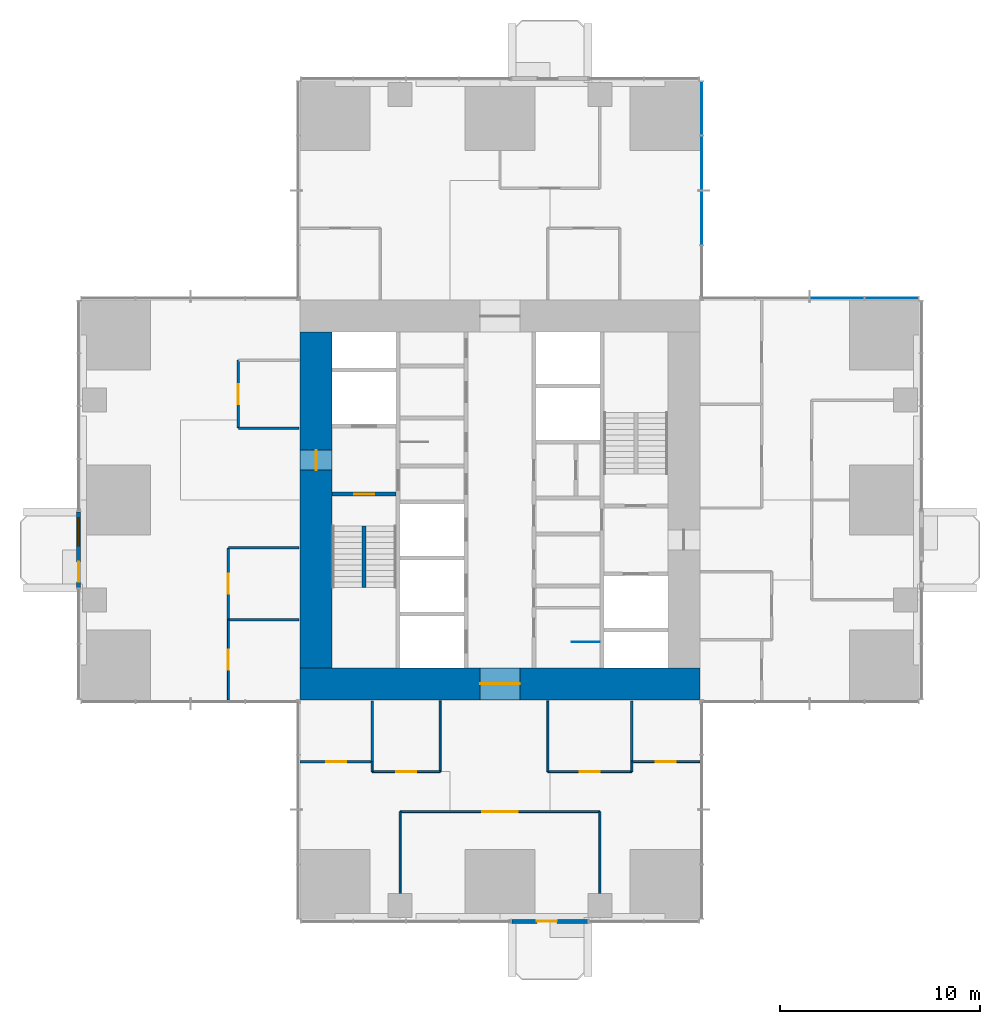
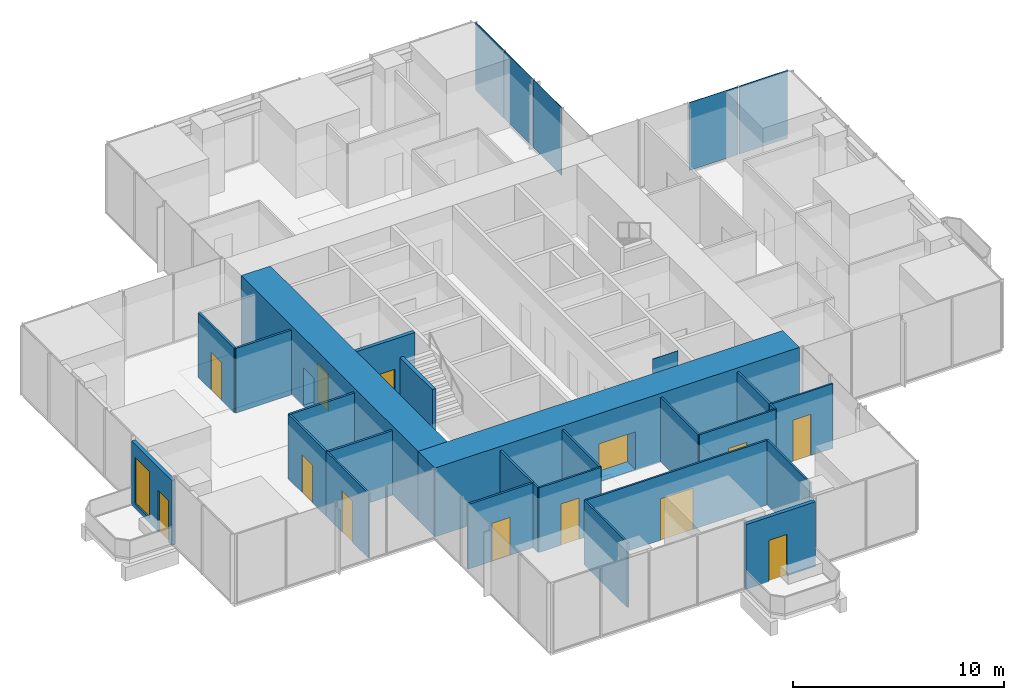
# One storey, part 8 of 13: 26 walls, 13 doors, 5 plates, 1 window, 14 openings, 2 elements without a shape of their own.
"""IFC4 building model written with IfcOpenShell, lengths in metres."""

from ifc_helpers import new_model, si_unit, direction, frame, frame_2d, origin, origin_2d, place, context, subcontext, project, spatial, rectangle, extrude, material, layer, layer_set, type_object, element, fill, aggregate, save


model = new_model("IFC4")

# Units and contexts
model_context = context("Model", 3, precision=1e-05, world=origin(), true_north=direction((0.0, 1.0)))
body_context = subcontext(model_context, "Body", "Model", "MODEL_VIEW")
ifc_project = project(units=[si_unit("LENGTHUNIT", "METRE"), si_unit("AREAUNIT", "SQUARE_METRE"), si_unit("VOLUMEUNIT", "CUBIC_METRE"), si_unit("PLANEANGLEUNIT", "RADIAN"), si_unit("MASSUNIT", "GRAM", prefix="KILO")], contexts=[model_context])

# Site, building, storey
site_placement = place(None, origin())
site = spatial("IfcSite", under=ifc_project, at=site_placement, CompositionType="ELEMENT")
building_placement = place(site_placement, origin())
building = spatial("IfcBuilding", under=site, at=building_placement, Name="Svetlomir Tower", CompositionType="ELEMENT")
storey_placement = place(building_placement, frame((0.0, 0.0, 96.5)))
storey = spatial("IfcBuildingStorey", under=building, at=storey_placement, Name="L22", CompositionType="ELEMENT", Elevation=96.5)

# Curtain wall, plates
ifc_material_1 = material(Name="Bronze anodised aluminium curtain wall", Category="aluminium")
curtain_wall_type = type_object("IfcCurtainWallType", Name="CURTAIN WALL CW1 TOWER OFFICE", PredefinedType="NOTDEFINED", material=ifc_material_1)
curtain_wall_1_placement = place(storey_placement, origin())
curtain_wall_1 = element("IfcCurtainWall", 1, at=curtain_wall_1_placement, inside=storey, type_object=curtain_wall_type, Name="Curtain wall CW1 L22", PredefinedType="NOTDEFINED")
ifc_material_2 = material(Name="Tinted double glazed unit", Category="glass")
ifc_layer_1 = layer(ifc_material_2, 0.031982421875)
ifc_layer_set_1 = layer_set([ifc_layer_1], Name="Tinted double glazed unit")
plate_type = type_object("IfcPlateType", Name="CW1 GLAZED PANEL 32", PredefinedType="CURTAIN_PANEL", material=ifc_layer_set_1)
plate_1_placement = place(storey_placement, frame((40.608642578125, 31.10009765625, 0.06494140625), z_axis=(0.0, 0.0, 1.0), x_axis=(-1.0, 0.0, 0.0)))
plate_1 = element("IfcPlate", 2, at=plate_1_placement, type_object=plate_type, Name="CW1 panel 1.1", PredefinedType="CURTAIN_PANEL", context=body_context, shape_type="SweptSolid", body=[
    extrude(rectangle(XDim=2.652587890625, YDim=0.031982421875, at=origin_2d()), origin(), (0.0, 0.0, 1.0), 3.93505859375),
])
plate_2_placement = place(storey_placement, frame((37.875, 31.10009765625, 0.06494140625), z_axis=(0.0, 0.0, 1.0), x_axis=(-1.0, 0.0, 0.0)))
plate_2 = element("IfcPlate", 3, at=plate_2_placement, type_object=plate_type, Name="CW1 panel 2.1", PredefinedType="CURTAIN_PANEL", context=body_context, shape_type="SweptSolid", body=[
    extrude(rectangle(XDim=2.68505859375, YDim=0.031982421875, at=origin_2d()), origin(), (0.0, 0.0, 1.0), 3.93505859375),
])
aggregate(curtain_wall_1, [plate_1, plate_2])

curtain_wall_2_placement = place(storey_placement, origin())
curtain_wall_2 = element("IfcCurtainWall", 4, at=curtain_wall_2_placement, inside=storey, type_object=curtain_wall_type, Name="Curtain wall CW1 L22", PredefinedType="NOTDEFINED")
plate_3_placement = place(storey_placement, frame((31.10009765625, 35.125, 0.06494140625), z_axis=(0.0, 0.0, 1.0), x_axis=(0.0, 1.0, 0.0)))
plate_3 = element("IfcPlate", 5, at=plate_3_placement, type_object=plate_type, Name="CW1 panel 2.1", PredefinedType="CURTAIN_PANEL", context=body_context, shape_type="SweptSolid", body=[
    extrude(rectangle(XDim=2.68505859375, YDim=0.031982421875, at=origin_2d()), origin(), (0.0, 0.0, 1.0), 3.93505859375),
])
plate_4_placement = place(storey_placement, frame((31.10009765625, 37.875, 0.06494140625), z_axis=(0.0, 0.0, 1.0), x_axis=(0.0, 1.0, 0.0)))
plate_4 = element("IfcPlate", 6, at=plate_4_placement, type_object=plate_type, Name="CW1 panel 3.1", PredefinedType="CURTAIN_PANEL", context=body_context, shape_type="SweptSolid", body=[
    extrude(rectangle(XDim=2.68505859375, YDim=0.031982421875, at=origin_2d()), origin(), (0.0, 0.0, 1.0), 3.93505859375),
])
plate_5_placement = place(storey_placement, frame((31.10009765625, 40.608642578125, 0.06494140625), z_axis=(0.0, 0.0, 1.0), x_axis=(0.0, 1.0, 0.0)))
plate_5 = element("IfcPlate", 7, at=plate_5_placement, type_object=plate_type, Name="CW1 panel 4.1", PredefinedType="CURTAIN_PANEL", context=body_context, shape_type="SweptSolid", body=[
    extrude(rectangle(XDim=2.652587890625, YDim=0.031982421875, at=origin_2d()), origin(), (0.0, 0.0, 1.0), 3.93505859375),
])
aggregate(curtain_wall_2, [plate_3, plate_4, plate_5])

# Wall, opening, door
ifc_material_3 = material(Name="Bronze anodised aluminium glazed screen", Category="aluminium")
ifc_layer_2 = layer(ifc_material_3, 0.199951171875)
ifc_layer_set_2 = layer_set([ifc_layer_2], Name="Bronze anodised aluminium glazed screen")
wall_type_1 = type_object("IfcWallType", Name="BALCONY SCREEN WALL 200", PredefinedType="USERDEFINED", material=ifc_layer_set_2)
wall_1_placement = place(storey_placement, frame((21.60009765625, -0.10009765625, 0.0), z_axis=(0.0, 0.0, 1.0), x_axis=(1.0, 0.0, 0.0)))
wall_1 = element("IfcWall", 8, at=wall_1_placement, inside=storey, type_object=wall_type_1, Name="Balcony screen S", ObjectType="GLAZED SCREEN", PredefinedType="USERDEFINED", context=body_context, shape_type="SweptSolid", body=[
    extrude(rectangle(XDim=3.7998046875, YDim=0.199951171875, at=frame_2d((1.89990234375, 0.0))), origin(), (0.0, 0.0, 1.0), 3.75),
])
opening_1_placement = place(wall_1_placement, frame((1.25, 0.0, 0.0)))
opening_1 = element("IfcOpeningElement", 9, at=opening_1_placement, cuts=wall_1, Name="Opening BD", PredefinedType="OPENING", context=body_context, shape_type="SweptSolid", body=[
    extrude(rectangle(XDim=1.0, YDim=2.39990234375, at=frame_2d((0.5, 1.199951171875))), frame((0.0, 0.10986328125, 0.0), z_axis=(0.0, -1.0, 0.0), x_axis=(1.0, 0.0, 0.0)), (0.0, 0.0, 1.0), 0.219970703125),
])
ifc_material_4 = material(Name="Bronze anodised aluminium glazed door", Category="aluminium")
door_type_1 = type_object("IfcDoorType", Name="BALCONY DOOR BD 1000x2400", OperationType="SINGLE_SWING_LEFT", PredefinedType="DOOR", material=ifc_material_4)
door_1_placement = place(opening_1_placement, origin())
door_1 = element("IfcDoor", 10, at=door_1_placement, inside=storey, type_object=door_type_1, Name="Balcony screen S door", OperationType="SINGLE_SWING_LEFT", OverallHeight=2.39990234375, OverallWidth=1.0, PredefinedType="DOOR", context=body_context, shape_type="SweptSolid", body=[
    extrude(rectangle(XDim=1.0, YDim=2.39990234375, at=frame_2d((0.5, 1.199951171875))), frame((0.0, 0.02490234375, 0.0), z_axis=(0.0, -1.0, 0.0), x_axis=(1.0, 0.0, 0.0)), (0.0, 0.0, 1.0), 0.050048828125),
])
fill(opening_1, door_1)

# Wall, openings, door, window
wall_2_placement = place(storey_placement, frame((-0.10009765625, 20.39990234375, 0.0), z_axis=(0.0, 0.0, 1.0), x_axis=(0.0, -1.0, 0.0)))
wall_2 = element("IfcWall", 11, at=wall_2_placement, inside=storey, type_object=wall_type_1, Name="Balcony screen W", ObjectType="GLAZED SCREEN", PredefinedType="USERDEFINED", context=body_context, shape_type="SweptSolid", body=[
    extrude(rectangle(XDim=3.7998046875, YDim=0.199951171875, at=frame_2d((1.89990234375, 0.0))), origin(), (0.0, 0.0, 1.0), 3.75),
])
opening_2_placement = place(wall_2_placement, frame((2.5, 0.0, 0.0)))
opening_2 = element("IfcOpeningElement", 12, at=opening_2_placement, cuts=wall_2, Name="Opening BD", PredefinedType="OPENING", context=body_context, shape_type="SweptSolid", body=[
    extrude(rectangle(XDim=1.0, YDim=2.39990234375, at=frame_2d((0.5, 1.199951171875))), frame((0.0, 0.10986328125, 0.0), z_axis=(0.0, -1.0, 0.0), x_axis=(1.0, 0.0, 0.0)), (0.0, 0.0, 1.0), 0.219970703125),
])
opening_3_placement = place(wall_2_placement, frame((0.300048828125, 0.0, 0.300048828125)))
opening_3 = element("IfcOpeningElement", 13, at=opening_3_placement, cuts=wall_2, Name="Opening WS2", PredefinedType="OPENING", context=body_context, shape_type="SweptSolid", body=[
    extrude(rectangle(XDim=1.39990234375, YDim=2.699951171875, at=frame_2d((0.699951171875, 1.35009765625))), frame((0.0, 0.10986328125, 0.0), z_axis=(0.0, -1.0, 0.0), x_axis=(1.0, 0.0, 0.0)), (0.0, 0.0, 1.0), 0.219970703125),
])
door_2_placement = place(opening_2_placement, origin())
door_2 = element("IfcDoor", 14, at=door_2_placement, inside=storey, type_object=door_type_1, Name="Balcony screen W door", OperationType="SINGLE_SWING_LEFT", OverallHeight=2.39990234375, OverallWidth=1.0, PredefinedType="DOOR", context=body_context, shape_type="SweptSolid", body=[
    extrude(rectangle(XDim=1.0, YDim=2.39990234375, at=frame_2d((0.5, 1.199951171875))), frame((0.0, 0.02490234375, 0.0), z_axis=(0.0, -1.0, 0.0), x_axis=(1.0, 0.0, 0.0)), (0.0, 0.0, 1.0), 0.050048828125),
])
fill(opening_2, door_2)
ifc_material_5 = material(Name="Bronze anodised aluminium window", Category="aluminium")
window_type = type_object("IfcWindowType", Name="SCREEN WINDOW WS2 1400x2700", PartitioningType="SINGLE_PANEL", PredefinedType="WINDOW", material=ifc_material_5)
window_placement = place(opening_3_placement, origin())
window = element("IfcWindow", 15, at=window_placement, inside=storey, type_object=window_type, Name="Balcony screen W window 1", OverallHeight=2.699951171875, OverallWidth=1.39990234375, PartitioningType="SINGLE_PANEL", PredefinedType="WINDOW", context=body_context, shape_type="SweptSolid", body=[
    extrude(rectangle(XDim=1.39990234375, YDim=2.699951171875, at=frame_2d((0.699951171875, 1.35009765625))), frame((0.0, 0.030029296875, 0.0), z_axis=(0.0, -1.0, 0.0), x_axis=(1.0, 0.0, 0.0)), (0.0, 0.0, 1.0), 0.06005859375),
])
fill(opening_3, window)

# Wall, opening, door
ifc_material_6 = material(Name="Concrete C60/75", Category="concrete")
ifc_layer_3 = layer(ifc_material_6, 0.199951171875)
ifc_layer_set_3 = layer_set([ifc_layer_3], Name="Concrete C60/75")
wall_type_2 = type_object("IfcWallType", Name="CORE INNER WALL 200", PredefinedType="SHEAR", material=ifc_layer_set_3)
wall_3_placement = place(storey_placement, frame((12.60009765625, 21.300048828125, -0.050048828125), z_axis=(0.0, 0.0, 1.0), x_axis=(1.0, 0.0, 0.0)))
wall_3 = element("IfcWall", 16, at=wall_3_placement, inside=storey, type_object=wall_type_2, Name="Core inner wall 12.6-15.8/21.3 L22", PredefinedType="SHEAR", context=body_context, shape_type="SweptSolid", body=[
    extrude(rectangle(XDim=3.199951171875, YDim=0.199951171875, at=frame_2d((1.60009765625, 0.0))), origin(), (0.0, 0.0, 1.0), 4.0),
])
opening_4_placement = place(wall_3_placement, frame((1.10009765625, 0.0, 0.050048828125)))
opening_4 = element("IfcOpeningElement", 17, at=opening_4_placement, cuts=wall_3, Name="Opening DF", PredefinedType="OPENING", context=body_context, shape_type="SweptSolid", body=[
    extrude(rectangle(XDim=1.0, YDim=2.199951171875, at=frame_2d((0.5, 1.10009765625))), frame((0.0, 0.10986328125, 0.0), z_axis=(0.0, -1.0, 0.0), x_axis=(1.0, 0.0, 0.0)), (0.0, 0.0, 1.0), 0.219970703125),
])
ifc_material_7 = material(Name="Steel fire door", Category="steel")
door_type_2 = type_object("IfcDoorType", Name="DOOR DF 1000x2200", OperationType="SINGLE_SWING_LEFT", PredefinedType="DOOR", material=ifc_material_7)
door_3_placement = place(opening_4_placement, origin())
door_3 = element("IfcDoor", 18, at=door_3_placement, inside=storey, type_object=door_type_2, Name="Stair S1 door L22", OperationType="SINGLE_SWING_RIGHT", OverallHeight=2.199951171875, OverallWidth=1.0, PredefinedType="DOOR", context=body_context, shape_type="SweptSolid", body=[
    extrude(rectangle(XDim=1.0, YDim=2.199951171875, at=frame_2d((0.5, 1.10009765625))), frame((0.0, 0.02490234375, 0.0), z_axis=(0.0, -1.0, 0.0), x_axis=(1.0, 0.0, 0.0)), (0.0, 0.0, 1.0), 0.050048828125),
])
fill(opening_4, door_3)

ifc_material_8 = material(Name="Concrete C60/75", Category="concrete")
ifc_layer_4 = layer(ifc_material_8, 1.60009765625)
ifc_layer_set_4 = layer_set([ifc_layer_4], Name="Concrete C60/75")
wall_type_3 = type_object("IfcWallType", Name="CORE WALL 1600", PredefinedType="SHEAR", material=ifc_layer_set_4)
wall_4_placement = place(storey_placement, frame((11.0, 11.800048828125, -0.050048828125), z_axis=(0.0, 0.0, 1.0), x_axis=(1.0, 0.0, 0.0)))
wall_4 = element("IfcWall", 19, at=wall_4_placement, inside=storey, type_object=wall_type_3, Name="Core wall south L22", PredefinedType="SHEAR", context=body_context, shape_type="SweptSolid", body=[
    extrude(rectangle(XDim=20.0, YDim=1.60009765625, at=frame_2d((10.0, 0.0))), origin(), (0.0, 0.0, 1.0), 4.0),
])
opening_5_placement = place(wall_4_placement, frame((9.0, 0.0, 0.050048828125)))
opening_5 = element("IfcOpeningElement", 20, at=opening_5_placement, cuts=wall_4, Name="Opening DL", PredefinedType="OPENING", context=body_context, shape_type="SweptSolid", body=[
    extrude(rectangle(XDim=2.0, YDim=2.199951171875, at=frame_2d((1.0, 1.10009765625))), frame((0.0, 0.81005859375, 0.0), z_axis=(0.0, -1.0, 0.0), x_axis=(1.0, 0.0, 0.0)), (0.0, 0.0, 1.0), 1.6201171875),
])
ifc_material_9 = material(Name="Steel fire door", Category="steel")
door_type_3 = type_object("IfcDoorType", Name="DOOR DL 2000x2200", OperationType="DOUBLE_DOOR_SINGLE_SWING", PredefinedType="DOOR", material=ifc_material_9)
door_4_placement = place(opening_5_placement, origin())
door_4 = element("IfcDoor", 21, at=door_4_placement, inside=storey, type_object=door_type_3, Name="Lift lobby south door L22", OperationType="DOUBLE_DOOR_SINGLE_SWING", OverallHeight=2.199951171875, OverallWidth=2.0, PredefinedType="DOOR", context=body_context, shape_type="SweptSolid", body=[
    extrude(rectangle(XDim=2.0, YDim=2.199951171875, at=frame_2d((1.0, 1.10009765625))), frame((0.0, 0.02490234375, 0.0), z_axis=(0.0, -1.0, 0.0), x_axis=(1.0, 0.0, 0.0)), (0.0, 0.0, 1.0), 0.050048828125),
])
fill(opening_5, door_4)

wall_5_placement = place(storey_placement, frame((11.800048828125, 12.60009765625, -0.050048828125), z_axis=(0.0, 0.0, 1.0), x_axis=(0.0, 1.0, 0.0)))
wall_5 = element("IfcWall", 22, at=wall_5_placement, inside=storey, type_object=wall_type_3, Name="Core wall west L22", PredefinedType="SHEAR", context=body_context, shape_type="SweptSolid", body=[
    extrude(rectangle(XDim=16.7998046875, YDim=1.60009765625, at=frame_2d((8.39990234375, 0.0))), origin(), (0.0, 0.0, 1.0), 4.0),
])
opening_6_placement = place(wall_5_placement, frame((9.89990234375, 0.0, 0.050048828125)))
opening_6 = element("IfcOpeningElement", 23, at=opening_6_placement, cuts=wall_5, Name="Opening DF", PredefinedType="OPENING", context=body_context, shape_type="SweptSolid", body=[
    extrude(rectangle(XDim=1.0, YDim=2.199951171875, at=frame_2d((0.5, 1.10009765625))), frame((0.0, 0.81005859375, 0.0), z_axis=(0.0, -1.0, 0.0), x_axis=(1.0, 0.0, 0.0)), (0.0, 0.0, 1.0), 1.6201171875),
])
door_5_placement = place(opening_6_placement, origin())
door_5 = element("IfcDoor", 24, at=door_5_placement, inside=storey, type_object=door_type_2, Name="Firefighting lobby west door L22", OperationType="SINGLE_SWING_RIGHT", OverallHeight=2.199951171875, OverallWidth=1.0, PredefinedType="DOOR", context=body_context, shape_type="SweptSolid", body=[
    extrude(rectangle(XDim=1.0, YDim=2.199951171875, at=frame_2d((0.5, 1.10009765625))), frame((0.0, 0.02490234375, 0.0), z_axis=(0.0, -1.0, 0.0), x_axis=(1.0, 0.0, 0.0)), (0.0, 0.0, 1.0), 0.050048828125),
])
fill(opening_6, door_5)

ifc_material_10 = material(Name="Framed laminated glass partition", Category="glass")
ifc_layer_5 = layer(ifc_material_10, 0.10009765625)
ifc_layer_set_5 = layer_set([ifc_layer_5], Name="Framed laminated glass partition")
wall_type_4 = type_object("IfcWallType", Name="GLAZED PARTITION 100", PredefinedType="PARTITIONING", material=ifc_layer_set_5)
wall_6_placement = place(storey_placement, frame((7.39990234375, 11.0, 0.0), z_axis=(0.0, 0.0, 1.0), x_axis=(0.0, 1.0, 0.0)))
wall_6 = element("IfcWall", 25, at=wall_6_placement, inside=storey, type_object=wall_type_4, Name="Glazed partition L22", PredefinedType="PARTITIONING", context=body_context, shape_type="SweptSolid", body=[
    extrude(rectangle(XDim=4.0, YDim=0.10009765625, at=frame_2d((2.0, 0.0))), origin(), (0.0, 0.0, 1.0), 3.75),
])
opening_7_placement = place(wall_6_placement, frame((1.5, 0.0, 0.0)))
opening_7 = element("IfcOpeningElement", 26, at=opening_7_placement, cuts=wall_6, Name="Opening DG", PredefinedType="OPENING", context=body_context, shape_type="SweptSolid", body=[
    extrude(rectangle(XDim=1.0, YDim=2.39990234375, at=frame_2d((0.5, 1.199951171875))), frame((0.0, 0.06005859375, 0.0), z_axis=(0.0, -1.0, 0.0), x_axis=(1.0, 0.0, 0.0)), (0.0, 0.0, 1.0), 0.1201171875),
])
ifc_material_11 = material(Name="Framed laminated glass door", Category="glass")
door_type_4 = type_object("IfcDoorType", Name="GLAZED DOOR DG 1000x2400", OperationType="SINGLE_SWING_LEFT", PredefinedType="DOOR", material=ifc_material_11)
door_6_placement = place(opening_7_placement, origin())
door_6 = element("IfcDoor", 27, at=door_6_placement, inside=storey, type_object=door_type_4, Name="Client data room door L22", OperationType="SINGLE_SWING_RIGHT", OverallHeight=2.39990234375, OverallWidth=1.0, PredefinedType="DOOR", context=body_context, shape_type="SweptSolid", body=[
    extrude(rectangle(XDim=1.0, YDim=2.39990234375, at=frame_2d((0.5, 1.199951171875))), frame((0.0, 0.02490234375, 0.0), z_axis=(0.0, -1.0, 0.0), x_axis=(1.0, 0.0, 0.0)), (0.0, 0.0, 1.0), 0.050048828125),
])
fill(opening_7, door_6)

# Wall
wall_7_placement = place(storey_placement, frame((14.60009765625, 7.39990234375, 0.0), z_axis=(0.0, 0.0, 1.0), x_axis=(0.0, 1.0, 0.0)))
element("IfcWall", 28, at=wall_7_placement, inside=storey, type_object=wall_type_4, Name="Glazed partition L22", PredefinedType="PARTITIONING", context=body_context, shape_type="SweptSolid", body=[
    extrude(rectangle(XDim=0.5, YDim=0.10009765625, at=frame_2d((0.25, 0.0))), origin(), (0.0, 0.0, 1.0), 3.75),
])

# Wall, opening, door
wall_8_placement = place(storey_placement, frame((14.60009765625, 7.39990234375, 0.0), z_axis=(0.0, 0.0, 1.0), x_axis=(1.0, 0.0, 0.0)))
wall_8 = element("IfcWall", 29, at=wall_8_placement, inside=storey, type_object=wall_type_4, Name="Glazed partition L22", PredefinedType="PARTITIONING", context=body_context, shape_type="SweptSolid", body=[
    extrude(rectangle(XDim=3.39990234375, YDim=0.10009765625, at=frame_2d((1.699951171875, 0.0))), origin(), (0.0, 0.0, 1.0), 3.75),
])
opening_8_placement = place(wall_8_placement, frame((1.199951171875, 0.0, 0.0)))
opening_8 = element("IfcOpeningElement", 30, at=opening_8_placement, cuts=wall_8, Name="Opening DG", PredefinedType="OPENING", context=body_context, shape_type="SweptSolid", body=[
    extrude(rectangle(XDim=1.0, YDim=2.39990234375, at=frame_2d((0.5, 1.199951171875))), frame((0.0, 0.06005859375, 0.0), z_axis=(0.0, -1.0, 0.0), x_axis=(1.0, 0.0, 0.0)), (0.0, 0.0, 1.0), 0.1201171875),
])
door_7_placement = place(opening_8_placement, origin())
door_7 = element("IfcDoor", 31, at=door_7_placement, inside=storey, type_object=door_type_4, Name="Client meeting room, 4 seats door L22", OperationType="SINGLE_SWING_RIGHT", OverallHeight=2.39990234375, OverallWidth=1.0, PredefinedType="DOOR", context=body_context, shape_type="SweptSolid", body=[
    extrude(rectangle(XDim=1.0, YDim=2.39990234375, at=frame_2d((0.5, 1.199951171875))), frame((0.0, 0.02490234375, 0.0), z_axis=(0.0, -1.0, 0.0), x_axis=(1.0, 0.0, 0.0)), (0.0, 0.0, 1.0), 0.050048828125),
])
fill(opening_8, door_7)

# Wall
wall_9_placement = place(storey_placement, frame((16.0, 1.31005859375, 0.0), z_axis=(0.0, 0.0, 1.0), x_axis=(0.0, 1.0, 0.0)))
element("IfcWall", 32, at=wall_9_placement, inside=storey, type_object=wall_type_4, Name="Glazed partition L22", PredefinedType="PARTITIONING", context=body_context, shape_type="SweptSolid", body=[
    extrude(rectangle(XDim=4.08984375, YDim=0.10009765625, at=frame_2d((2.044921875, 0.0))), origin(), (0.0, 0.0, 1.0), 3.75),
])

# Wall, opening, door
wall_10_placement = place(storey_placement, frame((16.0, 5.39990234375, 0.0), z_axis=(0.0, 0.0, 1.0), x_axis=(1.0, 0.0, 0.0)))
wall_10 = element("IfcWall", 33, at=wall_10_placement, inside=storey, type_object=wall_type_4, Name="Glazed partition L22", PredefinedType="PARTITIONING", context=body_context, shape_type="SweptSolid", body=[
    extrude(rectangle(XDim=10.0, YDim=0.10009765625, at=frame_2d((5.0, 0.0))), origin(), (0.0, 0.0, 1.0), 3.75),
])
opening_9_placement = place(wall_10_placement, frame((4.10009765625, 0.0, 0.0)))
opening_9 = element("IfcOpeningElement", 34, at=opening_9_placement, cuts=wall_10, Name="Opening DD", PredefinedType="OPENING", context=body_context, shape_type="SweptSolid", body=[
    extrude(rectangle(XDim=1.800048828125, YDim=2.39990234375, at=frame_2d((0.89990234375, 1.199951171875))), frame((0.0, 0.06005859375, 0.0), z_axis=(0.0, -1.0, 0.0), x_axis=(1.0, 0.0, 0.0)), (0.0, 0.0, 1.0), 0.1201171875),
])
ifc_material_12 = material(Name="Timber door", Category="wood")
door_type_5 = type_object("IfcDoorType", Name="DOOR DD 1800x2400", OperationType="DOUBLE_DOOR_SINGLE_SWING", PredefinedType="DOOR", material=ifc_material_12)
door_8_placement = place(opening_9_placement, origin())
door_8 = element("IfcDoor", 35, at=door_8_placement, inside=storey, type_object=door_type_5, Name="Client meeting room, 16 seats door L22", OperationType="DOUBLE_DOOR_SINGLE_SWING", OverallHeight=2.39990234375, OverallWidth=1.800048828125, PredefinedType="DOOR", context=body_context, shape_type="SweptSolid", body=[
    extrude(rectangle(XDim=1.800048828125, YDim=2.39990234375, at=frame_2d((0.89990234375, 1.199951171875))), frame((0.0, 0.02490234375, 0.0), z_axis=(0.0, -1.0, 0.0), x_axis=(1.0, 0.0, 0.0)), (0.0, 0.0, 1.0), 0.050048828125),
])
fill(opening_9, door_8)

# Walls
for number, where, z_axis, x_axis, name in (
    (36, (18.0, 7.39990234375, 0.0), (0.0, 0.0, 1.0), (0.0, 1.0, 0.0), "Glazed partition L22"),
    (37, (23.39990234375, 7.39990234375, 0.0), (0.0, 0.0, 1.0), (0.0, 1.0, 0.0), "Glazed partition L22"),
):
    element("IfcWall", number, at=place(storey_placement, frame(where, z_axis=z_axis, x_axis=x_axis)), inside=storey, type_object=wall_type_4, Name=name, PredefinedType="PARTITIONING", context=body_context, shape_type="SweptSolid", body=[
        extrude(rectangle(XDim=3.550048828125, YDim=0.10009765625, at=frame_2d((1.77490234375, 0.0))), origin(), (0.0, 0.0, 1.0), 3.75),
    ])

# Wall, opening, door
wall_11_placement = place(storey_placement, frame((23.39990234375, 7.39990234375, 0.0), z_axis=(0.0, 0.0, 1.0), x_axis=(1.0, 0.0, 0.0)))
wall_11 = element("IfcWall", 38, at=wall_11_placement, inside=storey, type_object=wall_type_4, Name="Glazed partition L22", PredefinedType="PARTITIONING", context=body_context, shape_type="SweptSolid", body=[
    extrude(rectangle(XDim=4.2001953125, YDim=0.10009765625, at=frame_2d((2.10009765625, 0.0))), origin(), (0.0, 0.0, 1.0), 3.75),
])
opening_10_placement = place(wall_11_placement, frame((1.60009765625, 0.0, 0.0)))
opening_10 = element("IfcOpeningElement", 39, at=opening_10_placement, cuts=wall_11, Name="Opening DG", PredefinedType="OPENING", context=body_context, shape_type="SweptSolid", body=[
    extrude(rectangle(XDim=1.0, YDim=2.39990234375, at=frame_2d((0.5, 1.199951171875))), frame((0.0, 0.06005859375, 0.0), z_axis=(0.0, -1.0, 0.0), x_axis=(1.0, 0.0, 0.0)), (0.0, 0.0, 1.0), 0.1201171875),
])
door_9_placement = place(opening_10_placement, origin())
door_9 = element("IfcDoor", 40, at=door_9_placement, inside=storey, type_object=door_type_4, Name="Client meeting room, 6 seats door L22", OperationType="SINGLE_SWING_LEFT", OverallHeight=2.39990234375, OverallWidth=1.0, PredefinedType="DOOR", context=body_context, shape_type="SweptSolid", body=[
    extrude(rectangle(XDim=1.0, YDim=2.39990234375, at=frame_2d((0.5, 1.199951171875))), frame((0.0, 0.02490234375, 0.0), z_axis=(0.0, -1.0, 0.0), x_axis=(1.0, 0.0, 0.0)), (0.0, 0.0, 1.0), 0.050048828125),
])
fill(opening_10, door_9)

# Walls
wall_12_placement = place(storey_placement, frame((26.0, 1.31005859375, 0.0), z_axis=(0.0, 0.0, 1.0), x_axis=(0.0, 1.0, 0.0)))
element("IfcWall", 41, at=wall_12_placement, inside=storey, type_object=wall_type_4, Name="Glazed partition L22", PredefinedType="PARTITIONING", context=body_context, shape_type="SweptSolid", body=[
    extrude(rectangle(XDim=4.08984375, YDim=0.10009765625, at=frame_2d((2.044921875, 0.0))), origin(), (0.0, 0.0, 1.0), 3.75),
])
wall_13_placement = place(storey_placement, frame((27.60009765625, 7.39990234375, 0.0), z_axis=(0.0, 0.0, 1.0), x_axis=(0.0, 1.0, 0.0)))
element("IfcWall", 42, at=wall_13_placement, inside=storey, type_object=wall_type_4, Name="Glazed partition L22", PredefinedType="PARTITIONING", context=body_context, shape_type="SweptSolid", body=[
    extrude(rectangle(XDim=0.5, YDim=0.10009765625, at=frame_2d((0.25, 0.0))), origin(), (0.0, 0.0, 1.0), 3.75),
])

# Wall, opening, door
wall_14_placement = place(storey_placement, frame((27.60009765625, 7.89990234375, 0.0), z_axis=(0.0, 0.0, 1.0), x_axis=(1.0, 0.0, 0.0)))
wall_14 = element("IfcWall", 43, at=wall_14_placement, inside=storey, type_object=wall_type_4, Name="Glazed partition L22", PredefinedType="PARTITIONING", context=body_context, shape_type="SweptSolid", body=[
    extrude(rectangle(XDim=3.39990234375, YDim=0.10009765625, at=frame_2d((1.699951171875, 0.0))), origin(), (0.0, 0.0, 1.0), 3.75),
])
opening_11_placement = place(wall_14_placement, frame((1.199951171875, 0.0, 0.0)))
opening_11 = element("IfcOpeningElement", 44, at=opening_11_placement, cuts=wall_14, Name="Opening DG", PredefinedType="OPENING", context=body_context, shape_type="SweptSolid", body=[
    extrude(rectangle(XDim=1.0, YDim=2.39990234375, at=frame_2d((0.5, 1.199951171875))), frame((0.0, 0.06005859375, 0.0), z_axis=(0.0, -1.0, 0.0), x_axis=(1.0, 0.0, 0.0)), (0.0, 0.0, 1.0), 0.1201171875),
])
door_10_placement = place(opening_11_placement, origin())
door_10 = element("IfcDoor", 45, at=door_10_placement, inside=storey, type_object=door_type_4, Name="Hospitality pantry door L22", OperationType="SINGLE_SWING_LEFT", OverallHeight=2.39990234375, OverallWidth=1.0, PredefinedType="DOOR", context=body_context, shape_type="SweptSolid", body=[
    extrude(rectangle(XDim=1.0, YDim=2.39990234375, at=frame_2d((0.5, 1.199951171875))), frame((0.0, 0.02490234375, 0.0), z_axis=(0.0, -1.0, 0.0), x_axis=(1.0, 0.0, 0.0)), (0.0, 0.0, 1.0), 0.050048828125),
])
fill(opening_11, door_10)

ifc_material_13 = material(Name="Gypsum board on steel studs", Category="steel")
ifc_layer_6 = layer(ifc_material_13, 0.1201171875)
ifc_layer_set_6 = layer_set([ifc_layer_6], Name="Gypsum board on steel studs")
wall_type_5 = type_object("IfcWallType", Name="PARTITION 120", PredefinedType="PARTITIONING", material=ifc_layer_set_6)
wall_15_placement = place(storey_placement, frame((7.39990234375, 15.0, 0.0), z_axis=(0.0, 0.0, 1.0), x_axis=(0.0, 1.0, 0.0)))
wall_15 = element("IfcWall", 46, at=wall_15_placement, inside=storey, type_object=wall_type_5, Name="Partition L22", PredefinedType="PARTITIONING", context=body_context, shape_type="SweptSolid", body=[
    extrude(rectangle(XDim=3.60009765625, YDim=0.1201171875, at=frame_2d((1.800048828125, 0.0))), origin(), (0.0, 0.0, 1.0), 3.75),
])
opening_12_placement = place(wall_15_placement, frame((1.300048828125, 0.0, 0.0)))
opening_12 = element("IfcOpeningElement", 47, at=opening_12_placement, cuts=wall_15, Name="Opening DR", PredefinedType="OPENING", context=body_context, shape_type="SweptSolid", body=[
    extrude(rectangle(XDim=1.0, YDim=2.199951171875, at=frame_2d((0.5, 1.10009765625))), frame((0.0, 0.070068359375, 0.0), z_axis=(0.0, -1.0, 0.0), x_axis=(1.0, 0.0, 0.0)), (0.0, 0.0, 1.0), 0.14013671875),
])
ifc_material_14 = material(Name="Timber door, glazed side light", Category="wood")
door_type_6 = type_object("IfcDoorType", Name="DOOR DR 1000x2200", OperationType="SINGLE_SWING_LEFT", PredefinedType="DOOR", material=ifc_material_14)
door_11_placement = place(opening_12_placement, origin())
door_11 = element("IfcDoor", 48, at=door_11_placement, inside=storey, type_object=door_type_6, Name="Concierge office door L22", OperationType="SINGLE_SWING_RIGHT", OverallHeight=2.199951171875, OverallWidth=1.0, PredefinedType="DOOR", context=body_context, shape_type="SweptSolid", body=[
    extrude(rectangle(XDim=1.0, YDim=2.199951171875, at=frame_2d((0.5, 1.10009765625))), frame((0.0, 0.02490234375, 0.0), z_axis=(0.0, -1.0, 0.0), x_axis=(1.0, 0.0, 0.0)), (0.0, 0.0, 1.0), 0.050048828125),
])
fill(opening_12, door_11)

# Walls
for number, where, z_axis, x_axis, name in (
    (49, (7.39990234375, 15.0, 0.0), (0.0, 0.0, 1.0), (1.0, 0.0, 0.0), "Partition L22"),
    (50, (7.39990234375, 18.60009765625, 0.0), (0.0, 0.0, 1.0), (1.0, 0.0, 0.0), "Partition L22"),
):
    element("IfcWall", number, at=place(storey_placement, frame(where, z_axis=z_axis, x_axis=x_axis)), inside=storey, type_object=wall_type_5, Name=name, PredefinedType="PARTITIONING", context=body_context, shape_type="SweptSolid", body=[
        extrude(rectangle(XDim=3.550048828125, YDim=0.1201171875, at=frame_2d((1.77490234375, 0.0))), origin(), (0.0, 0.0, 1.0), 3.75),
    ])

# Wall, opening, door
wall_16_placement = place(storey_placement, frame((7.89990234375, 24.60009765625, 0.0), z_axis=(0.0, 0.0, 1.0), x_axis=(0.0, 1.0, 0.0)))
wall_16 = element("IfcWall", 51, at=wall_16_placement, inside=storey, type_object=wall_type_5, Name="Partition L22", PredefinedType="PARTITIONING", context=body_context, shape_type="SweptSolid", body=[
    extrude(rectangle(XDim=3.39990234375, YDim=0.1201171875, at=frame_2d((1.699951171875, 0.0))), origin(), (0.0, 0.0, 1.0), 3.75),
])
opening_13_placement = place(wall_16_placement, frame((1.199951171875, 0.0, 0.0)))
opening_13 = element("IfcOpeningElement", 52, at=opening_13_placement, cuts=wall_16, Name="Opening DR", PredefinedType="OPENING", context=body_context, shape_type="SweptSolid", body=[
    extrude(rectangle(XDim=1.0, YDim=2.199951171875, at=frame_2d((0.5, 1.10009765625))), frame((0.0, 0.070068359375, 0.0), z_axis=(0.0, -1.0, 0.0), x_axis=(1.0, 0.0, 0.0)), (0.0, 0.0, 1.0), 0.14013671875),
])
door_12_placement = place(opening_13_placement, origin())
door_12 = element("IfcDoor", 53, at=door_12_placement, inside=storey, type_object=door_type_6, Name="Store door L22", OperationType="SINGLE_SWING_LEFT", OverallHeight=2.199951171875, OverallWidth=1.0, PredefinedType="DOOR", context=body_context, shape_type="SweptSolid", body=[
    extrude(rectangle(XDim=1.0, YDim=2.199951171875, at=frame_2d((0.5, 1.10009765625))), frame((0.0, 0.02490234375, 0.0), z_axis=(0.0, -1.0, 0.0), x_axis=(1.0, 0.0, 0.0)), (0.0, 0.0, 1.0), 0.050048828125),
])
fill(opening_13, door_12)

# Wall
wall_17_placement = place(storey_placement, frame((7.89990234375, 24.60009765625, 0.0), z_axis=(0.0, 0.0, 1.0), x_axis=(1.0, 0.0, 0.0)))
element("IfcWall", 54, at=wall_17_placement, inside=storey, type_object=wall_type_5, Name="Partition L22", PredefinedType="PARTITIONING", context=body_context, shape_type="SweptSolid", body=[
    extrude(rectangle(XDim=3.050048828125, YDim=0.1201171875, at=frame_2d((1.52490234375, 0.0))), origin(), (0.0, 0.0, 1.0), 3.75),
])

# Wall, opening, door
wall_18_placement = place(storey_placement, frame((11.0, 7.89990234375, 0.0), z_axis=(0.0, 0.0, 1.0), x_axis=(1.0, 0.0, 0.0)))
wall_18 = element("IfcWall", 55, at=wall_18_placement, inside=storey, type_object=wall_type_5, Name="Partition L22", PredefinedType="PARTITIONING", context=body_context, shape_type="SweptSolid", body=[
    extrude(rectangle(XDim=3.60009765625, YDim=0.1201171875, at=frame_2d((1.800048828125, 0.0))), origin(), (0.0, 0.0, 1.0), 3.75),
])
opening_14_placement = place(wall_18_placement, frame((1.300048828125, 0.0, 0.0)))
opening_14 = element("IfcOpeningElement", 56, at=opening_14_placement, cuts=wall_18, Name="Opening DR", PredefinedType="OPENING", context=body_context, shape_type="SweptSolid", body=[
    extrude(rectangle(XDim=1.0, YDim=2.199951171875, at=frame_2d((0.5, 1.10009765625))), frame((0.0, 0.070068359375, 0.0), z_axis=(0.0, -1.0, 0.0), x_axis=(1.0, 0.0, 0.0)), (0.0, 0.0, 1.0), 0.14013671875),
])
door_13_placement = place(opening_14_placement, origin())
door_13 = element("IfcDoor", 57, at=door_13_placement, inside=storey, type_object=door_type_6, Name="Client cloakroom door L22", OperationType="SINGLE_SWING_RIGHT", OverallHeight=2.199951171875, OverallWidth=1.0, PredefinedType="DOOR", context=body_context, shape_type="SweptSolid", body=[
    extrude(rectangle(XDim=1.0, YDim=2.199951171875, at=frame_2d((0.5, 1.10009765625))), frame((0.0, 0.02490234375, 0.0), z_axis=(0.0, -1.0, 0.0), x_axis=(1.0, 0.0, 0.0)), (0.0, 0.0, 1.0), 0.050048828125),
])
fill(opening_14, door_13)

# Walls
for number, where, z_axis, x_axis, name in (
    (58, (14.60009765625, 7.89990234375, 0.0), (0.0, 0.0, 1.0), (0.0, 1.0, 0.0), "Partition L22"),
    (59, (27.60009765625, 7.89990234375, 0.0), (0.0, 0.0, 1.0), (0.0, 1.0, 0.0), "Partition L22"),
):
    element("IfcWall", number, at=place(storey_placement, frame(where, z_axis=z_axis, x_axis=x_axis)), inside=storey, type_object=wall_type_5, Name=name, PredefinedType="PARTITIONING", context=body_context, shape_type="SweptSolid", body=[
        extrude(rectangle(XDim=3.050048828125, YDim=0.1201171875, at=frame_2d((1.52490234375, 0.0))), origin(), (0.0, 0.0, 1.0), 3.75),
    ])
ifc_material_15 = material(Name="Concrete C60/75", Category="concrete")
ifc_layer_7 = layer(ifc_material_15, 0.199951171875)
ifc_layer_set_7 = layer_set([ifc_layer_7], Name="Concrete C60/75")
wall_type_6 = type_object("IfcWallType", Name="STAIR SPINE WALL 200", PredefinedType="PARTITIONING", material=ifc_layer_set_7)
wall_19_placement = place(storey_placement, frame((14.199951171875, 16.6201171875, 0.0), z_axis=(0.0, 0.0, 1.0), x_axis=(0.0, 1.0, 0.0)))
element("IfcWall", 60, at=wall_19_placement, inside=storey, type_object=wall_type_6, Name="Stair S1 spine wall L22", PredefinedType="PARTITIONING", context=body_context, shape_type="SweptSolid", body=[
    extrude(rectangle(XDim=3.079833984375, YDim=0.199951171875, at=frame_2d((1.5400390625, 0.0))), origin(), (0.0, 0.0, 1.0), 4.0),
])
ifc_material_16 = material(Name="Compact laminate panel", Category="plastic")
ifc_layer_8 = layer(ifc_material_16, 0.030029296875)
ifc_layer_set_8 = layer_set([ifc_layer_8], Name="Compact laminate panel")
wall_type_7 = type_object("IfcWallType", Name="WC CUBICLE PARTITION 30", PredefinedType="PARTITIONING", material=ifc_layer_set_8)
wall_20_placement = place(storey_placement, frame((24.60009765625, 13.89990234375, 0.0), z_axis=(0.0, 0.0, 1.0), x_axis=(1.0, 0.0, 0.0)))
element("IfcWall", 61, at=wall_20_placement, inside=storey, type_object=wall_type_7, Name="WC cubicle partition L22", PredefinedType="PARTITIONING", context=body_context, shape_type="SweptSolid", body=[
    extrude(rectangle(XDim=1.39990234375, YDim=0.030029296875, at=frame_2d((0.699951171875, 0.0))), origin(), (0.0, 0.0, 1.0), 3.75),
])

save(model, "model.ifc")
